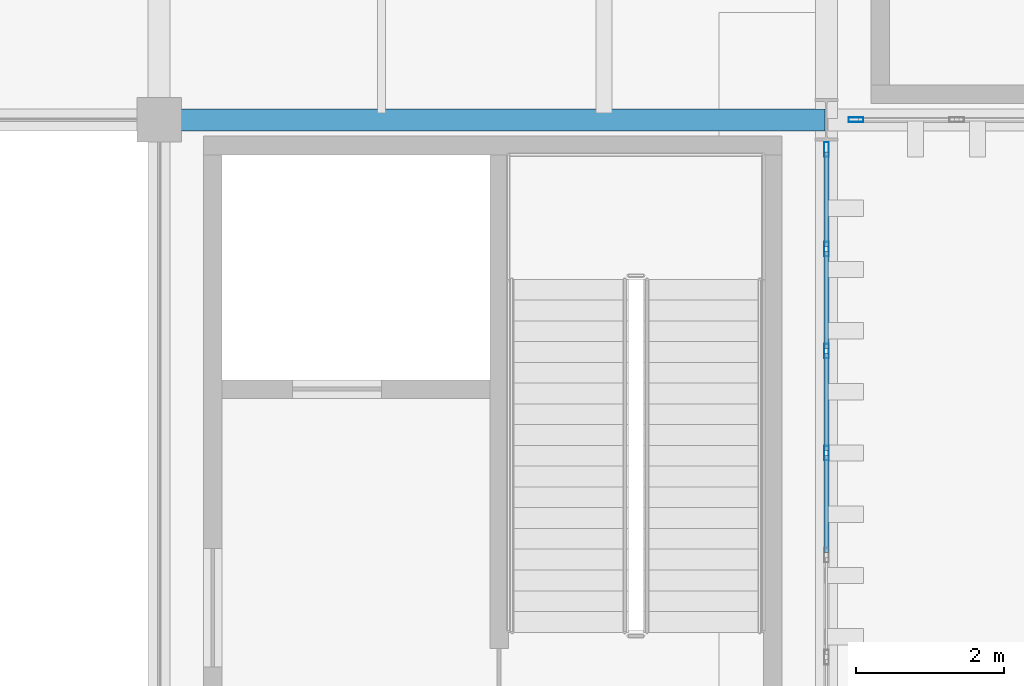
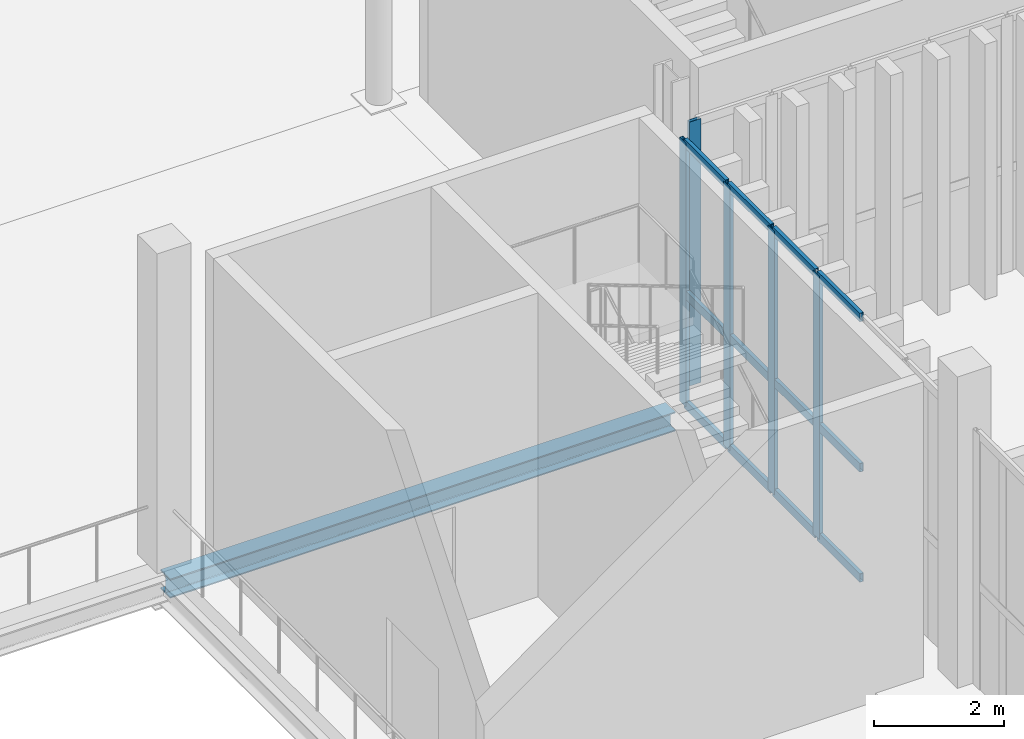
# One storey, part 55 of 211: 17 members, 1 beam, 2 elements without a shape of their own.
"""IFC4 building model written with IfcOpenShell, lengths in metres."""

from ifc_helpers import new_model, si_unit, direction, frame, origin, origin_2d, place, context, subcontext, project, spatial, hollow_rectangle, i_section, extrude, material, layer, layer_set, material_profile, profile_set, type_object, element, aggregate, save


model = new_model("IFC4")

# Units and contexts
model_context = context("Model", 3, precision=1e-05, world=origin(), true_north=direction((0.0, 1.0)))
body_context = subcontext(model_context, "Body", "Model", "MODEL_VIEW")
ifc_project = project(units=[si_unit("LENGTHUNIT", "METRE"), si_unit("AREAUNIT", "SQUARE_METRE"), si_unit("VOLUMEUNIT", "CUBIC_METRE"), si_unit("PLANEANGLEUNIT", "RADIAN"), si_unit("MASSUNIT", "GRAM", prefix="KILO")], contexts=[model_context])

# Site, building, storey
site_placement = place(None, origin())
site = spatial("IfcSite", under=ifc_project, at=site_placement, CompositionType="ELEMENT")
building_placement = place(site_placement, origin())
building = spatial("IfcBuilding", under=site, at=building_placement, Name="Barlavento Convention Centre", CompositionType="ELEMENT")
storey_placement = place(building_placement, frame((0.0, 0.0, 6.0)))
storey = spatial("IfcBuildingStorey", under=building, at=storey_placement, Name="L01", CompositionType="ELEMENT", Elevation=6.0)

# Curtain wall, members
ifc_material_1 = material(Name="Powder-coated aluminium and Low-E glass", Category="aluminium")
ifc_layer_1 = layer(ifc_material_1, 0.18505859375)
ifc_layer_set_1 = layer_set([ifc_layer_1], Name="ARC-CW-CONG-L01")
curtain_wall_type_1 = type_object("IfcCurtainWallType", Name="ARC-CW-CONG-L01", PredefinedType="NOTDEFINED", material=ifc_layer_set_1)
curtain_wall_1_placement = place(storey_placement, origin())
curtain_wall_1 = element("IfcCurtainWall", 1, at=curtain_wall_1_placement, inside=storey, type_object=curtain_wall_type_1, Name="L01 unitised curtain wall CW01", PredefinedType="NOTDEFINED")
ifc_material_2 = material(Name="Powder-coated aluminium", Category="aluminium")
ifc_material_profile_1 = material_profile(ifc_material_2, hollow_rectangle(XDim=0.06494140625, YDim=0.199951171875, WallThickness=0.0048828125, at=origin_2d()), Name="AL-MULL 65x200x5")
ifc_profile_set_1 = profile_set([ifc_material_profile_1], Name="Powder-coated aluminium")
member_type_1 = type_object("IfcMemberType", Name="ARC-CWM-65X200", PredefinedType="MULLION", material=ifc_profile_set_1)
member_1_placement = place(storey_placement, frame((63.0, 40.507080078125, 0.0), z_axis=(0.0, 0.0, 1.0), x_axis=(-1.0, 0.0, 0.0)))
member_1 = element("IfcMember", 2, at=member_1_placement, type_object=member_type_1, Name="CW01 mullion 4", PredefinedType="MULLION", context=body_context, shape_type="SweptSolid", body=[
    extrude(hollow_rectangle(XDim=0.06494140625, YDim=0.199951171875, WallThickness=0.0048828125, at=origin_2d()), origin(), (0.0, 0.0, 1.0), 4.949951171875),
])
member_2_placement = place(storey_placement, frame((63.0, 41.882568359375, 0.0), z_axis=(0.0, 0.0, 1.0), x_axis=(-1.0, 0.0, 0.0)))
member_2 = element("IfcMember", 3, at=member_2_placement, type_object=member_type_1, Name="CW01 mullion 5", PredefinedType="MULLION", context=body_context, shape_type="SweptSolid", body=[
    extrude(hollow_rectangle(XDim=0.06494140625, YDim=0.199951171875, WallThickness=0.0048828125, at=origin_2d()), origin(), (0.0, 0.0, 1.0), 4.949951171875),
])
member_3_placement = place(storey_placement, frame((63.0, 43.25830078125, 0.0), z_axis=(0.0, 0.0, 1.0), x_axis=(-1.0, 0.0, 0.0)))
member_3 = element("IfcMember", 4, at=member_3_placement, type_object=member_type_1, Name="CW01 mullion 6", PredefinedType="MULLION", context=body_context, shape_type="SweptSolid", body=[
    extrude(hollow_rectangle(XDim=0.06494140625, YDim=0.199951171875, WallThickness=0.0048828125, at=origin_2d()), origin(), (0.0, 0.0, 1.0), 4.949951171875),
])
member_4_placement = place(storey_placement, frame((63.0, 44.6015625, 0.0), z_axis=(0.0, 0.0, 1.0), x_axis=(-1.0, 0.0, 0.0)))
member_4 = element("IfcMember", 5, at=member_4_placement, type_object=member_type_1, Name="CW01 mullion 7", PredefinedType="MULLION", context=body_context, shape_type="SweptSolid", body=[
    extrude(hollow_rectangle(XDim=0.06494140625, YDim=0.199951171875, WallThickness=0.0048828125, at=origin_2d()), origin(), (0.0, 0.0, 1.0), 4.949951171875),
])

# Curtain wall, member
ifc_layer_2 = layer(ifc_material_1, 0.195068359375)
ifc_layer_set_2 = layer_set([ifc_layer_2], Name="ARC-CW-FOY-L01")
curtain_wall_type_2 = type_object("IfcCurtainWallType", Name="ARC-CW-FOY-L01", PredefinedType="NOTDEFINED", material=ifc_layer_set_2)
curtain_wall_2_placement = place(storey_placement, origin())
curtain_wall_2 = element("IfcCurtainWall", 6, at=curtain_wall_2_placement, inside=storey, type_object=curtain_wall_type_2, Name="L01 unitised curtain wall CW03", PredefinedType="NOTDEFINED")
member_5_placement = place(storey_placement, frame((63.3984375, 45.0, 0.0), z_axis=(0.0, 0.0, 1.0), x_axis=(0.0, 1.0, 0.0)))
member_5 = element("IfcMember", 7, at=member_5_placement, type_object=member_type_1, Name="CW03 mullion 1", PredefinedType="MULLION", context=body_context, shape_type="SweptSolid", body=[
    extrude(hollow_rectangle(XDim=0.06494140625, YDim=0.199951171875, WallThickness=0.0048828125, at=origin_2d()), origin(), (0.0, 0.0, 1.0), 4.949951171875),
])
aggregate(curtain_wall_2, [member_5])

# Member
ifc_material_profile_2 = material_profile(ifc_material_2, hollow_rectangle(XDim=0.06494140625, YDim=0.159912109375, WallThickness=0.0048828125, at=origin_2d()), Name="AL-TRAN 65x160x5")
ifc_profile_set_2 = profile_set([ifc_material_profile_2], Name="Powder-coated aluminium")
member_type_2 = type_object("IfcMemberType", Name="ARC-CWT-65X160", PredefinedType="USERDEFINED", material=ifc_profile_set_2)
member_6_placement = place(storey_placement, frame((63.0, 39.163818359375, 0.032470703125), z_axis=(0.0, 1.0, 0.0), x_axis=(-1.0, 0.0, 0.0)))
member_6 = element("IfcMember", 8, at=member_6_placement, type_object=member_type_2, Name="CW01 transom 3.1", ObjectType="TRANSOM", PredefinedType="USERDEFINED", context=body_context, shape_type="SweptSolid", body=[
    extrude(hollow_rectangle(XDim=0.06494140625, YDim=0.159912109375, WallThickness=0.0048828125, at=origin_2d()), origin(), (0.0, 0.0, 1.0), 1.310791015625),
])

member_7_placement = place(storey_placement, frame((63.0, 39.163818359375, 2.10009765625), z_axis=(0.0, 1.0, 0.0), x_axis=(-1.0, 0.0, 0.0)))
member_7 = element("IfcMember", 9, at=member_7_placement, type_object=member_type_2, Name="CW01 transom 3.2", ObjectType="TRANSOM", PredefinedType="USERDEFINED", context=body_context, shape_type="SweptSolid", body=[
    extrude(hollow_rectangle(XDim=0.06494140625, YDim=0.159912109375, WallThickness=0.0048828125, at=origin_2d()), origin(), (0.0, 0.0, 1.0), 1.310791015625),
])

member_8_placement = place(storey_placement, frame((63.0, 39.163818359375, 4.91748046875), z_axis=(0.0, 1.0, 0.0), x_axis=(-1.0, 0.0, 0.0)))
member_8 = element("IfcMember", 10, at=member_8_placement, type_object=member_type_2, Name="CW01 transom 3.3", ObjectType="TRANSOM", PredefinedType="USERDEFINED", context=body_context, shape_type="SweptSolid", body=[
    extrude(hollow_rectangle(XDim=0.06494140625, YDim=0.159912109375, WallThickness=0.0048828125, at=origin_2d()), origin(), (0.0, 0.0, 1.0), 1.310791015625),
])

member_9_placement = place(storey_placement, frame((63.0, 40.53955078125, 0.032470703125), z_axis=(0.0, 1.0, 0.0), x_axis=(-1.0, 0.0, 0.0)))
member_9 = element("IfcMember", 11, at=member_9_placement, type_object=member_type_2, Name="CW01 transom 4.1", ObjectType="TRANSOM", PredefinedType="USERDEFINED", context=body_context, shape_type="SweptSolid", body=[
    extrude(hollow_rectangle(XDim=0.06494140625, YDim=0.159912109375, WallThickness=0.0048828125, at=origin_2d()), origin(), (0.0, 0.0, 1.0), 1.310546875),
])

member_10_placement = place(storey_placement, frame((63.0, 40.53955078125, 2.10009765625), z_axis=(0.0, 1.0, 0.0), x_axis=(-1.0, 0.0, 0.0)))
member_10 = element("IfcMember", 12, at=member_10_placement, type_object=member_type_2, Name="CW01 transom 4.2", ObjectType="TRANSOM", PredefinedType="USERDEFINED", context=body_context, shape_type="SweptSolid", body=[
    extrude(hollow_rectangle(XDim=0.06494140625, YDim=0.159912109375, WallThickness=0.0048828125, at=origin_2d()), origin(), (0.0, 0.0, 1.0), 1.310546875),
])

member_11_placement = place(storey_placement, frame((63.0, 40.53955078125, 4.91748046875), z_axis=(0.0, 1.0, 0.0), x_axis=(-1.0, 0.0, 0.0)))
member_11 = element("IfcMember", 13, at=member_11_placement, type_object=member_type_2, Name="CW01 transom 4.3", ObjectType="TRANSOM", PredefinedType="USERDEFINED", context=body_context, shape_type="SweptSolid", body=[
    extrude(hollow_rectangle(XDim=0.06494140625, YDim=0.159912109375, WallThickness=0.0048828125, at=origin_2d()), origin(), (0.0, 0.0, 1.0), 1.310546875),
])

member_12_placement = place(storey_placement, frame((63.0, 41.915283203125, 0.032470703125), z_axis=(0.0, 1.0, 0.0), x_axis=(-1.0, 0.0, 0.0)))
member_12 = element("IfcMember", 14, at=member_12_placement, type_object=member_type_2, Name="CW01 transom 5.1", ObjectType="TRANSOM", PredefinedType="USERDEFINED", context=body_context, shape_type="SweptSolid", body=[
    extrude(hollow_rectangle(XDim=0.06494140625, YDim=0.159912109375, WallThickness=0.0048828125, at=origin_2d()), origin(), (0.0, 0.0, 1.0), 1.310546875),
])

member_13_placement = place(storey_placement, frame((63.0, 41.915283203125, 2.10009765625), z_axis=(0.0, 1.0, 0.0), x_axis=(-1.0, 0.0, 0.0)))
member_13 = element("IfcMember", 15, at=member_13_placement, type_object=member_type_2, Name="CW01 transom 5.2", ObjectType="TRANSOM", PredefinedType="USERDEFINED", context=body_context, shape_type="SweptSolid", body=[
    extrude(hollow_rectangle(XDim=0.06494140625, YDim=0.159912109375, WallThickness=0.0048828125, at=origin_2d()), origin(), (0.0, 0.0, 1.0), 1.310546875),
])

member_14_placement = place(storey_placement, frame((63.0, 41.915283203125, 4.91748046875), z_axis=(0.0, 1.0, 0.0), x_axis=(-1.0, 0.0, 0.0)))
member_14 = element("IfcMember", 16, at=member_14_placement, type_object=member_type_2, Name="CW01 transom 5.3", ObjectType="TRANSOM", PredefinedType="USERDEFINED", context=body_context, shape_type="SweptSolid", body=[
    extrude(hollow_rectangle(XDim=0.06494140625, YDim=0.159912109375, WallThickness=0.0048828125, at=origin_2d()), origin(), (0.0, 0.0, 1.0), 1.310546875),
])

member_15_placement = place(storey_placement, frame((63.0, 43.290771484375, 0.032470703125), z_axis=(0.0, 1.0, 0.0), x_axis=(-1.0, 0.0, 0.0)))
member_15 = element("IfcMember", 17, at=member_15_placement, type_object=member_type_2, Name="CW01 transom 6.1", ObjectType="TRANSOM", PredefinedType="USERDEFINED", context=body_context, shape_type="SweptSolid", body=[
    extrude(hollow_rectangle(XDim=0.06494140625, YDim=0.159912109375, WallThickness=0.0048828125, at=origin_2d()), origin(), (0.0, 0.0, 1.0), 1.2783203125),
])

member_16_placement = place(storey_placement, frame((63.0, 43.290771484375, 2.10009765625), z_axis=(0.0, 1.0, 0.0), x_axis=(-1.0, 0.0, 0.0)))
member_16 = element("IfcMember", 18, at=member_16_placement, type_object=member_type_2, Name="CW01 transom 6.2", ObjectType="TRANSOM", PredefinedType="USERDEFINED", context=body_context, shape_type="SweptSolid", body=[
    extrude(hollow_rectangle(XDim=0.06494140625, YDim=0.159912109375, WallThickness=0.0048828125, at=origin_2d()), origin(), (0.0, 0.0, 1.0), 1.2783203125),
])

member_17_placement = place(storey_placement, frame((63.0, 43.290771484375, 4.91748046875), z_axis=(0.0, 1.0, 0.0), x_axis=(-1.0, 0.0, 0.0)))
member_17 = element("IfcMember", 19, at=member_17_placement, type_object=member_type_2, Name="CW01 transom 6.3", ObjectType="TRANSOM", PredefinedType="USERDEFINED", context=body_context, shape_type="SweptSolid", body=[
    extrude(hollow_rectangle(XDim=0.06494140625, YDim=0.159912109375, WallThickness=0.0048828125, at=origin_2d()), origin(), (0.0, 0.0, 1.0), 1.2783203125),
])

aggregate(curtain_wall_1, [member_1, member_2, member_3, member_4, member_6, member_7, member_8, member_9, member_10, member_11, member_12, member_13, member_14, member_15, member_16, member_17])

# Beam
ifc_material_3 = material(Name="Steel S355", Category="steel")
ifc_material_profile_3 = material_profile(ifc_material_3, i_section(OverallWidth=0.300048828125, OverallDepth=0.360107421875, WebThickness=0.012451171875, FlangeThickness=0.0224609375, FilletRadius=0.027099609375, at=origin_2d()), Name="HEB 360")
ifc_profile_set_3 = profile_set([ifc_material_profile_3], Name="Steel S355")
beam_type = type_object("IfcBeamType", Name="STR-BM-PRI-HEB360", PredefinedType="BEAM", material=ifc_profile_set_3)
beam_placement = place(storey_placement, frame((54.02001953125, 45.0, -0.47998046875), z_axis=(1.0, 0.0, 0.0), x_axis=(0.0, 1.0, 0.0)))
element("IfcBeam", 20, at=beam_placement, inside=storey, type_object=beam_type, Name="L01 primary girder BG12", PredefinedType="BEAM", context=body_context, shape_type="SweptSolid", body=[
    extrude(i_section(OverallWidth=0.300048828125, OverallDepth=0.360107421875, WebThickness=0.012451171875, FlangeThickness=0.0224609375, FilletRadius=0.027099609375, at=origin_2d()), origin(), (0.0, 0.0, 1.0), 8.9599609375),
])

save(model, "model.ifc")
